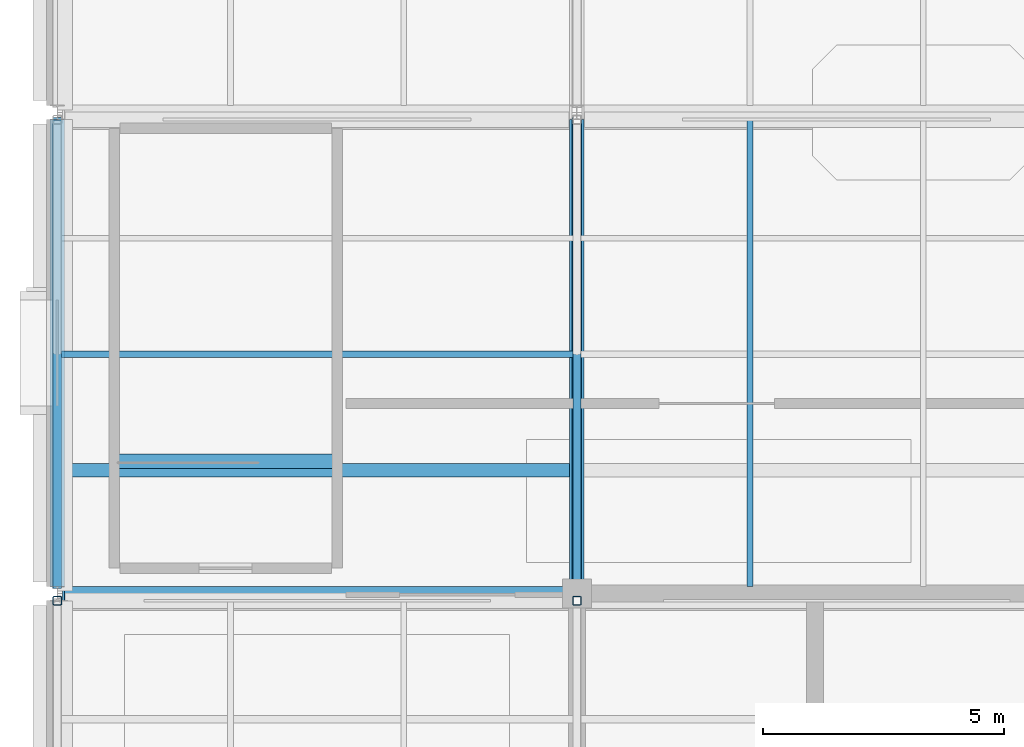
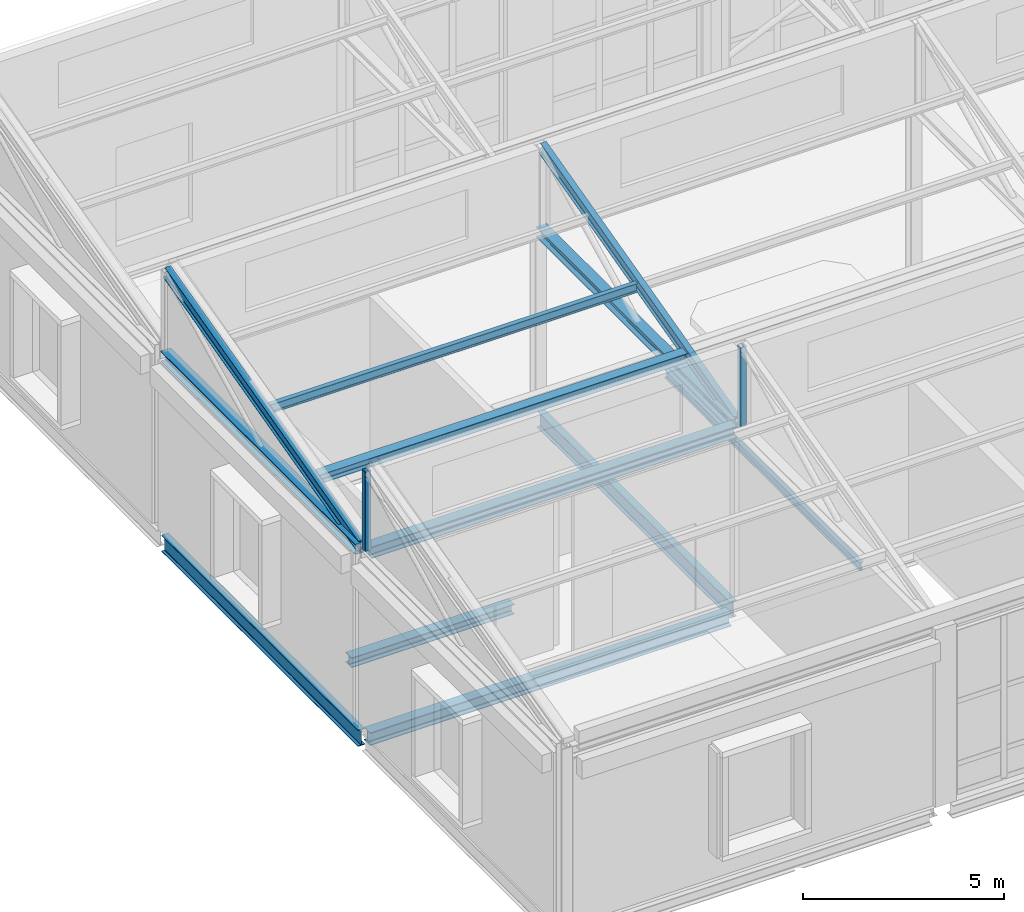
# One storey, part 6 of 49: 8 members, 6 beams.
"""IFC4 building model written with IfcOpenShell, lengths in metres."""

from ifc_helpers import new_model, si_unit, direction, frame, origin, origin_2d, place, context, subcontext, project, spatial, hollow_rectangle, i_section, extrude, material, material_profile, profile_set, type_object, element, save


model = new_model("IFC4")

# Units and contexts
model_context = context("Model", 3, precision=1e-05, world=origin(), true_north=direction((0.0, 1.0)))
body_context = subcontext(model_context, "Body", "Model", "MODEL_VIEW")
ifc_project = project(units=[si_unit("LENGTHUNIT", "METRE"), si_unit("AREAUNIT", "SQUARE_METRE"), si_unit("VOLUMEUNIT", "CUBIC_METRE"), si_unit("PLANEANGLEUNIT", "RADIAN"), si_unit("MASSUNIT", "GRAM", prefix="KILO")], contexts=[model_context])

# Site, building, storey
site_placement = place(None, origin())
site = spatial("IfcSite", under=ifc_project, at=site_placement, CompositionType="ELEMENT")
building_placement = place(site_placement, origin())
building = spatial("IfcBuilding", under=site, at=building_placement, Name="Tasgan Crest Museum", CompositionType="ELEMENT")
storey_placement = place(building_placement, frame((0.0, 0.0, 28.800048828125)))
storey = spatial("IfcBuildingStorey", under=building, at=storey_placement, Name="L05", CompositionType="ELEMENT", Elevation=28.800048828125)

# Beams
ifc_material_1 = material(Name="Steel S355J2", Category="steel")
ifc_material_profile_1 = material_profile(ifc_material_1, i_section(OverallWidth=0.300048828125, OverallDepth=0.35009765625, WebThickness=0.009521484375, FlangeThickness=0.017578125, FilletRadius=0.027099609375, at=origin_2d()), Name="HEA 360")
ifc_profile_set_1 = profile_set([ifc_material_profile_1], Name="Steel S355J2")
beam_type_1 = type_object("IfcBeamType", Name="BM-G-HEA360", PredefinedType="BEAM", material=ifc_profile_set_1)
beam_1_placement = place(storey_placement, frame((0.14990234375, 92.0, 5.219970703125), z_axis=(1.0, 0.0, 0.0), x_axis=(0.0, 1.0, 0.0)))
element("IfcBeam", 1, at=beam_1_placement, inside=storey, type_object=beam_type_1, Name="Sawtooth valley girder B2 0.0-10.8", PredefinedType="BEAM", context=body_context, shape_type="SweptSolid", body=[
    extrude(i_section(OverallWidth=0.300048828125, OverallDepth=0.35009765625, WebThickness=0.009521484375, FlangeThickness=0.017578125, FilletRadius=0.027099609375, at=origin_2d()), origin(), (0.0, 0.0, 1.0), 10.5),
])
ifc_material_2 = material(Name="Steel S355J2", Category="steel")
ifc_material_profile_2 = material_profile(ifc_material_2, i_section(OverallWidth=0.300048828125, OverallDepth=0.389892578125, WebThickness=0.010986328125, FlangeThickness=0.01904296875, FilletRadius=0.027099609375, at=origin_2d()), Name="HEA 400")
ifc_profile_set_2 = profile_set([ifc_material_profile_2], Name="Steel S355J2")
beam_type_2 = type_object("IfcBeamType", Name="BM-G-HEA400", PredefinedType="BEAM", material=ifc_profile_set_2)
beam_2_placement = place(storey_placement, frame((0.10595703125, 92.0, -0.43505859375), z_axis=(1.0, 0.0, 0.0), x_axis=(0.0, 1.0, 0.0)))
element("IfcBeam", 2, at=beam_2_placement, inside=storey, type_object=beam_type_2, Name="Girder L05 K 0.0-10.8", PredefinedType="BEAM", context=body_context, shape_type="SweptSolid", body=[
    extrude(i_section(OverallWidth=0.300048828125, OverallDepth=0.389892578125, WebThickness=0.010986328125, FlangeThickness=0.01904296875, FilletRadius=0.027099609375, at=origin_2d()), origin(), (0.0, 0.0, 1.0), 10.39794921875),
])
ifc_material_3 = material(Name="Steel S355J2", Category="steel")
ifc_material_profile_3 = material_profile(ifc_material_3, i_section(OverallWidth=0.300048828125, OverallDepth=0.300048828125, WebThickness=0.010986328125, FlangeThickness=0.01904296875, FilletRadius=0.027099609375, at=origin_2d()), Name="HEB 300")
ifc_profile_set_3 = profile_set([ifc_material_profile_3], Name="Steel S355J2")
beam_type_3 = type_object("IfcBeamType", Name="BM-G-HEB300", PredefinedType="BEAM", material=ifc_profile_set_3)
beam_3_placement = place(storey_placement, frame((1.159912109375, 94.75, -0.150146484375), z_axis=(1.0, 0.0, 0.0), x_axis=(0.0, 1.0, 0.0)))
element("IfcBeam", 3, at=beam_3_placement, inside=storey, type_object=beam_type_3, Name="GALW top stair trimmer L05", PredefinedType="BEAM", context=body_context, shape_type="SweptSolid", body=[
    extrude(i_section(OverallWidth=0.300048828125, OverallDepth=0.300048828125, WebThickness=0.010986328125, FlangeThickness=0.01904296875, FilletRadius=0.027099609375, at=origin_2d()), origin(), (0.0, 0.0, 1.0), 4.68017578125),
])
ifc_material_4 = material(Name="Steel S355J2", Category="steel")
ifc_material_profile_4 = material_profile(ifc_material_4, i_section(OverallWidth=0.199951171875, OverallDepth=0.5, WebThickness=0.01025390625, FlangeThickness=0.01611328125, FilletRadius=0.02099609375, at=origin_2d()), Name="IPE 500")
ifc_profile_set_4 = profile_set([ifc_material_profile_4], Name="Steel S355J2")
beam_type_4 = type_object("IfcBeamType", Name="BM-G-IPE500", PredefinedType="BEAM", material=ifc_profile_set_4)
beam_4_placement = place(storey_placement, frame((0.0, 92.10498046875, -0.489990234375), z_axis=(0.0, 1.0, 0.0), x_axis=(-1.0, 0.0, 0.0)))
element("IfcBeam", 4, at=beam_4_placement, inside=storey, type_object=beam_type_4, Name="Beam L05 1 92.0-102.0", PredefinedType="BEAM", context=body_context, shape_type="SweptSolid", body=[
    extrude(i_section(OverallWidth=0.199951171875, OverallDepth=0.5, WebThickness=0.01025390625, FlangeThickness=0.01611328125, FilletRadius=0.02099609375, at=origin_2d()), origin(), (0.0, 0.0, 1.0), 9.7900390625),
])
beam_5_placement = place(storey_placement, frame((10.800048828125, 92.294921875, -0.489990234375), z_axis=(0.0, 1.0, 0.0), x_axis=(-1.0, 0.0, 0.0)))
element("IfcBeam", 5, at=beam_5_placement, inside=storey, type_object=beam_type_4, Name="Beam L05 2 92.0-102.0", PredefinedType="BEAM", context=body_context, shape_type="SweptSolid", body=[
    extrude(i_section(OverallWidth=0.199951171875, OverallDepth=0.5, WebThickness=0.01025390625, FlangeThickness=0.01611328125, FilletRadius=0.02099609375, at=origin_2d()), origin(), (0.0, 0.0, 1.0), 9.60009765625),
])
ifc_material_5 = material(Name="Steel S355J2", Category="steel")
ifc_material_profile_5 = material_profile(ifc_material_5, i_section(OverallWidth=0.1201171875, OverallDepth=0.239990234375, WebThickness=0.006103515625, FlangeThickness=0.009765625, FilletRadius=0.014892578125, at=origin_2d()), Name="IPE 240")
ifc_profile_set_5 = profile_set([ifc_material_profile_5], Name="Steel S355J2")
beam_type_5 = type_object("IfcBeamType", Name="BM-J-IPE240", PredefinedType="JOIST", material=ifc_profile_set_5)
beam_6_placement = place(storey_placement, frame((14.39990234375, 92.14501953125, -0.360107421875), z_axis=(0.0, 1.0, 0.0), x_axis=(-1.0, 0.0, 0.0)))
element("IfcBeam", 6, at=beam_6_placement, inside=storey, type_object=beam_type_5, Name="Secondary joist L05 X=14.4 Y=92.0-102.0", PredefinedType="JOIST", context=body_context, shape_type="SweptSolid", body=[
    extrude(i_section(OverallWidth=0.1201171875, OverallDepth=0.239990234375, WebThickness=0.006103515625, FlangeThickness=0.009765625, FilletRadius=0.014892578125, at=origin_2d()), origin(), (0.0, 0.0, 1.0), 9.7099609375),
])

# Members
ifc_material_6 = material(Name="Steel S355J2", Category="steel")
ifc_material_profile_6 = material_profile(ifc_material_6, i_section(OverallWidth=0.280029296875, OverallDepth=0.27001953125, WebThickness=0.008056640625, FlangeThickness=0.012939453125, FilletRadius=0.02392578125, at=origin_2d()), Name="HEA 280")
ifc_profile_set_6 = profile_set([ifc_material_profile_6], Name="Steel S355J2")
member_type_1 = type_object("IfcMemberType", Name="MEM-PUR-HEA280", PredefinedType="PURLIN", material=ifc_profile_set_6)
member_1_placement = place(storey_placement, frame((0.0849609375, 94.5625, 5.889892578125), z_axis=(1.0, 0.0, 0.0), x_axis=(0.0, 1.0, 0.0)))
element("IfcMember", 7, at=member_1_placement, inside=storey, type_object=member_type_1, Name="Sawtooth roof purlin B2 0.0-10.8 P1", PredefinedType="PURLIN", context=body_context, shape_type="SweptSolid", body=[
    extrude(i_section(OverallWidth=0.280029296875, OverallDepth=0.27001953125, WebThickness=0.008056640625, FlangeThickness=0.012939453125, FilletRadius=0.02392578125, at=origin_2d()), origin(), (0.0, 0.0, 1.0), 10.630126953125),
])
ifc_material_7 = material(Name="Steel S355J2", Category="steel")
ifc_material_profile_7 = material_profile(ifc_material_7, i_section(OverallWidth=0.135009765625, OverallDepth=0.27001953125, WebThickness=0.006591796875, FlangeThickness=0.01025390625, FilletRadius=0.014892578125, at=origin_2d()), Name="IPE 270")
ifc_profile_set_7 = profile_set([ifc_material_profile_7], Name="Steel S355J2")
member_type_2 = type_object("IfcMemberType", Name="MEM-PURLIN-270", PredefinedType="PURLIN", material=ifc_profile_set_7)
member_2_placement = place(storey_placement, frame((0.0849609375, 96.97509765625, 6.510009765625), z_axis=(1.0, 0.0, 0.0), x_axis=(0.0, 1.0, 0.0)))
element("IfcMember", 8, at=member_2_placement, inside=storey, type_object=member_type_2, Name="Sawtooth roof purlin B2 0.0-10.8 P2", PredefinedType="PURLIN", context=body_context, shape_type="SweptSolid", body=[
    extrude(i_section(OverallWidth=0.135009765625, OverallDepth=0.27001953125, WebThickness=0.006591796875, FlangeThickness=0.01025390625, FilletRadius=0.014892578125, at=origin_2d()), origin(), (0.0, 0.0, 1.0), 10.630126953125),
])
ifc_material_8 = material(Name="Steel S355K2", Category="steel")
ifc_material_profile_8 = material_profile(ifc_material_8, i_section(OverallWidth=0.300048828125, OverallDepth=0.31005859375, WebThickness=0.009033203125, FlangeThickness=0.015380859375, FilletRadius=0.027099609375, at=origin_2d()), Name="HEA 320")
ifc_profile_set_8 = profile_set([ifc_material_profile_8], Name="Steel S355K2")
member_type_3 = type_object("IfcMemberType", Name="TR-SAW-CHORD", PredefinedType="CHORD", material=ifc_profile_set_8)
for number, where, z_axis, x_axis, name in (
    (9, (0.0, 92.14990234375, 5.239990234375), (0.0, 1.0, 0.0), (-1.0, 0.0, 0.0), "Roof truss bottom chord B2 1"),
    (10, (10.800048828125, 92.14990234375, 5.239990234375), (0.0, 1.0, 0.0), (-1.0, 0.0, 0.0), "Roof truss bottom chord B2 2"),
):
    element("IfcMember", number, at=place(storey_placement, frame(where, z_axis=z_axis, x_axis=x_axis)), inside=storey, type_object=member_type_3, Name=name, PredefinedType="CHORD", context=body_context, shape_type="SweptSolid", body=[
        extrude(i_section(OverallWidth=0.300048828125, OverallDepth=0.31005859375, WebThickness=0.009033203125, FlangeThickness=0.015380859375, FilletRadius=0.027099609375, at=origin_2d()), origin(), (0.0, 0.0, 1.0), 9.7001953125),
    ])
ifc_material_9 = material(Name="Steel S355K2", Category="steel")
ifc_material_profile_9 = material_profile(ifc_material_9, hollow_rectangle(XDim=0.179931640625, YDim=0.179931640625, WallThickness=0.010009765625, InnerFilletRadius=0.010009765625, OuterFilletRadius=0.02001953125, at=origin_2d()), Name="SHS 180x180x10")
ifc_profile_set_9 = profile_set([ifc_material_profile_9], Name="Steel S355K2")
member_type_4 = type_object("IfcMemberType", Name="TR-SAW-POST", PredefinedType="POST", material=ifc_profile_set_9)
for number, where, z_axis, x_axis, name in (
    (11, (0.0, 91.85009765625, 5.389892578125), (0.0, 0.0, 1.0), (1.0, 0.0, 0.0), "Roof truss north post B1 1"),
    (12, (10.800048828125, 91.85009765625, 5.389892578125), (0.0, 0.0, 1.0), (1.0, 0.0, 0.0), "Roof truss north post B1 2"),
):
    element("IfcMember", number, at=place(storey_placement, frame(where, z_axis=z_axis, x_axis=x_axis)), inside=storey, type_object=member_type_4, Name=name, PredefinedType="POST", context=body_context, shape_type="SweptSolid", body=[
        extrude(hollow_rectangle(XDim=0.179931640625, YDim=0.179931640625, WallThickness=0.010009765625, InnerFilletRadius=0.010009765625, OuterFilletRadius=0.02001953125, at=origin_2d()), origin(), (0.0, 0.0, 1.0), 2.41015625),
    ])
ifc_material_10 = material(Name="Steel S355K2", Category="steel")
ifc_material_profile_10 = material_profile(ifc_material_10, i_section(OverallWidth=0.169921875, OverallDepth=0.360107421875, WebThickness=0.008056640625, FlangeThickness=0.0126953125, FilletRadius=0.01806640625, at=origin_2d()), Name="IPE 360")
ifc_profile_set_10 = profile_set([ifc_material_profile_10], Name="Steel S355K2")
member_type_5 = type_object("IfcMemberType", Name="TR-SAW-RAFTER", PredefinedType="RAFTER", material=ifc_profile_set_10)
for number, where, z_axis, x_axis, name in (
    (13, (0.0, 92.14990234375, 5.320068359375), (0.0, 0.968528888954, 0.248901167657), (-1.0, 0.0, 0.0), "Roof truss rafter B2 1"),
    (14, (10.800048828125, 92.14990234375, 5.320068359375), (0.0, 0.968528888954, 0.248901167657), (-1.0, 0.0, 0.0), "Roof truss rafter B2 2"),
):
    element("IfcMember", number, at=place(storey_placement, frame(where, z_axis=z_axis, x_axis=x_axis)), inside=storey, type_object=member_type_5, Name=name, PredefinedType="RAFTER", context=body_context, shape_type="SweptSolid", body=[
        extrude(i_section(OverallWidth=0.169921875, OverallDepth=0.360107421875, WebThickness=0.008056640625, FlangeThickness=0.0126953125, FilletRadius=0.01806640625, at=origin_2d()), origin(), (0.0, 0.0, 1.0), 9.963623046875),
    ])

save(model, "model.ifc")
